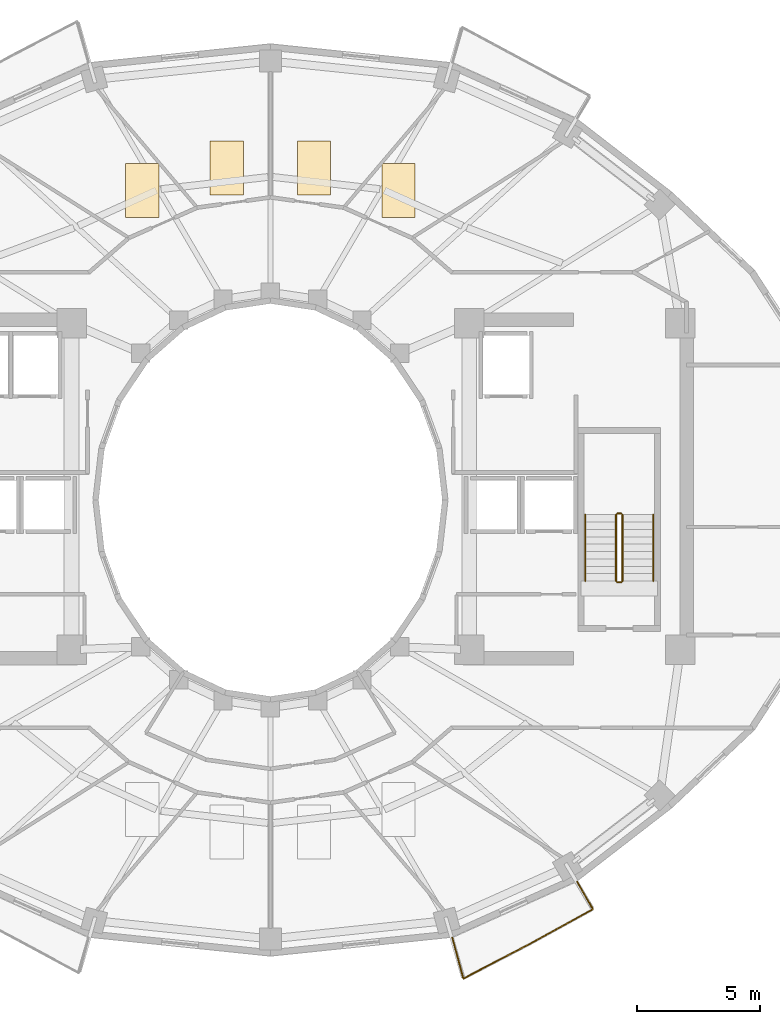
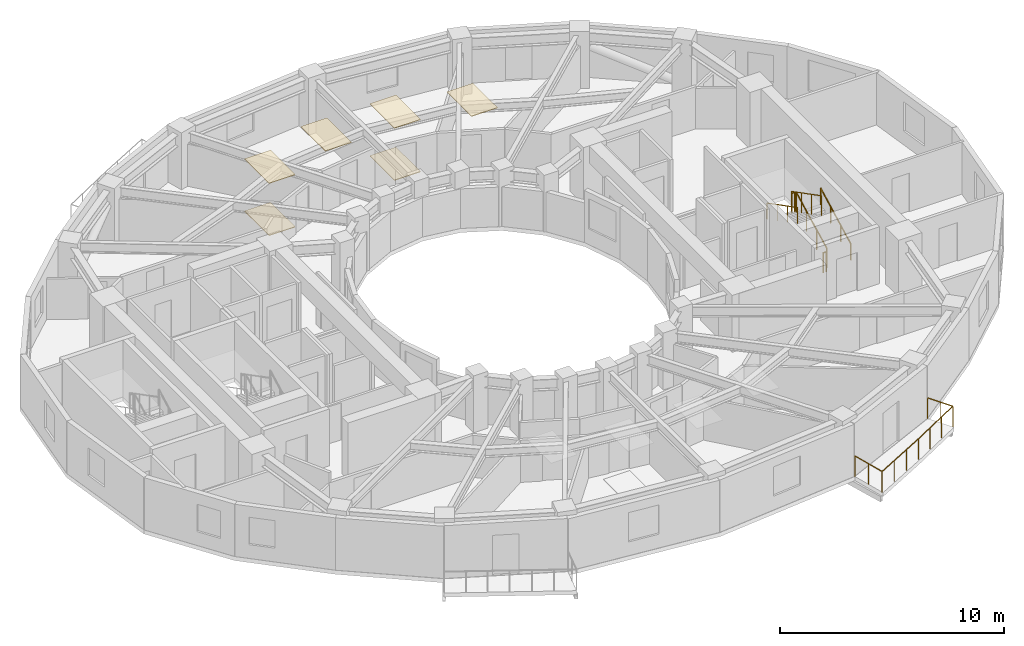
# One storey, part 9 of 10: 7 railings, 6 coverings.
"""IFC4 building model written with IfcOpenShell, lengths in metres."""

from ifc_helpers import new_model, si_unit, direction, frame, origin, origin_2d, place, context, subcontext, project, spatial, polyline, circle, outline, extrude, material, layer, layer_set, type_object, element, save


model = new_model("IFC4")

# Units and contexts
model_context = context("Model", 3, precision=1e-05, world=origin(), true_north=direction((0.0, 1.0)))
body_context = subcontext(model_context, "Body", "Model", "MODEL_VIEW")
ifc_project = project(units=[si_unit("LENGTHUNIT", "METRE"), si_unit("AREAUNIT", "SQUARE_METRE"), si_unit("VOLUMEUNIT", "CUBIC_METRE"), si_unit("PLANEANGLEUNIT", "RADIAN"), si_unit("MASSUNIT", "GRAM", prefix="KILO")], contexts=[model_context])

# Site, building, storey
site_placement = place(None, origin())
site = spatial("IfcSite", under=ifc_project, at=site_placement, CompositionType="ELEMENT")
building_placement = place(site_placement, origin())
building = spatial("IfcBuilding", under=site, at=building_placement, Name="Solvane Sanctuary Tower", CompositionType="ELEMENT")
storey_placement = place(building_placement, frame((0.0, 0.0, 183.89990234375)))
storey = spatial("IfcBuildingStorey", under=building, at=storey_placement, Name="L56", CompositionType="ELEMENT", Elevation=183.89990234375)

# Coverings
ifc_material_1 = material(Name="Acoustic Gypsum Partition Board")
ifc_layer_1 = layer(ifc_material_1, 0.02490234375, Name="Acoustic Gypsum Partition Board")
ifc_layer_set_1 = layer_set([ifc_layer_1], Name="Acoustic Gypsum Partition Board")
covering_type_1 = type_object("IfcCoveringType", Name="Covering CLG-ACOUST", PredefinedType="CEILING", material=ifc_layer_set_1)
covering_1_placement = place(storey_placement, frame((0.0, 0.0, 2.85009765625)))
element("IfcCovering", 1, at=covering_1_placement, inside=storey, type_object=covering_type_1, Name="L56 Unit Acoustic Ceiling Panel 1", PredefinedType="CEILING", context=body_context, shape_type="SweptSolid", body=[
    extrude(outline(polyline([(36.549072265625, 34.510986328125), (37.89892578125, 34.510986328125), (37.89892578125, 36.7109375), (36.549072265625, 36.7109375), (36.549072265625, 34.510986328125)])), origin(), (0.0, 0.0, 1.0), 0.030029296875),
])
covering_2_placement = place(storey_placement, frame((0.0, 0.0, 2.85009765625)))
element("IfcCovering", 2, at=covering_2_placement, inside=storey, type_object=covering_type_1, Name="L56 Unit Acoustic Ceiling Panel 2", PredefinedType="CEILING", context=body_context, shape_type="SweptSolid", body=[
    extrude(outline(polyline([(33.10693359375, 35.43310546875), (34.45703125, 35.43310546875), (34.45703125, 37.633056640625), (33.10693359375, 37.633056640625), (33.10693359375, 35.43310546875)])), origin(), (0.0, 0.0, 1.0), 0.030029296875),
])
covering_3_placement = place(storey_placement, frame((0.0, 0.0, 2.85009765625)))
element("IfcCovering", 3, at=covering_3_placement, inside=storey, type_object=covering_type_1, Name="L56 Unit Acoustic Ceiling Panel 3", PredefinedType="CEILING", context=body_context, shape_type="SweptSolid", body=[
    extrude(outline(polyline([(29.54296875, 35.43310546875), (30.89306640625, 35.43310546875), (30.89306640625, 37.633056640625), (29.54296875, 37.633056640625), (29.54296875, 35.43310546875)])), origin(), (0.0, 0.0, 1.0), 0.030029296875),
])
covering_4_placement = place(storey_placement, frame((0.0, 0.0, 2.85009765625)))
element("IfcCovering", 4, at=covering_4_placement, inside=storey, type_object=covering_type_1, Name="L56 Unit Acoustic Ceiling Panel 4", PredefinedType="CEILING", context=body_context, shape_type="SweptSolid", body=[
    extrude(outline(polyline([(26.10107421875, 34.510986328125), (27.450927734375, 34.510986328125), (27.450927734375, 36.7109375), (26.10107421875, 36.7109375), (26.10107421875, 34.510986328125)])), origin(), (0.0, 0.0, 1.0), 0.030029296875),
])
ifc_material_2 = material(Name="Ceramic Tile Finish")
ifc_layer_2 = layer(ifc_material_2, 0.030029296875, Name="Ceramic Tile Finish")
ifc_layer_set_2 = layer_set([ifc_layer_2], Name="Ceramic Tile Finish")
covering_type_2 = type_object("IfcCoveringType", Name="Covering FLR-TERRAZZO", PredefinedType="FLOORING", material=ifc_layer_set_2)
covering_5_placement = place(storey_placement, origin())
element("IfcCovering", 5, at=covering_5_placement, inside=storey, type_object=covering_type_2, Name="L56 Unit Terrazzo Inlay 2", PredefinedType="FLOORING", context=body_context, shape_type="SweptSolid", body=[
    extrude(outline(polyline([(33.10693359375, 35.43310546875), (34.45703125, 35.43310546875), (34.45703125, 37.633056640625), (33.10693359375, 37.633056640625), (33.10693359375, 35.43310546875)])), origin(), (0.0, 0.0, 1.0), 0.03515625),
])
covering_6_placement = place(storey_placement, origin())
element("IfcCovering", 6, at=covering_6_placement, inside=storey, type_object=covering_type_2, Name="L56 Unit Terrazzo Inlay 4", PredefinedType="FLOORING", context=body_context, shape_type="SweptSolid", body=[
    extrude(outline(polyline([(26.10107421875, 34.510986328125), (27.450927734375, 34.510986328125), (27.450927734375, 36.7109375), (26.10107421875, 36.7109375), (26.10107421875, 34.510986328125)])), origin(), (0.0, 0.0, 1.0), 0.03515625),
])

# Railings
ifc_material_3 = material(Name="Architectural Stainless Steel 316", Category="steel")
railing_type_1 = type_object("IfcRailingType", Name="Railing GR-BALC-1150", PredefinedType="BALUSTRADE", material=ifc_material_3)
railing_1_placement = place(storey_placement, frame((39.410400390625, 5.17041015625, 0.0)))
element("IfcRailing", 7, at=railing_1_placement, inside=storey, type_object=railing_type_1, Name="L56 Wave Balcony Balustrade S2", PredefinedType="BALUSTRADE", context=body_context, shape_type="SweptSolid", body=[
    extrude(circle(Radius=0.02392578125, at=origin_2d()), frame((0.0, 0.0, 1.1259765625), z_axis=(0.258790337249, -0.965933518078, 0.0), x_axis=(0.965933518078, 0.258790337249, 0.0)), (0.0, 0.0, 1.0), 1.724609375),
    extrude(circle(Radius=0.02392578125, at=origin_2d()), frame((0.4462890625, -1.665771484375, 1.1259765625), z_axis=(0.886932025781, 0.461899969306, 0.0), x_axis=(-0.461899969306, 0.886932025781, 0.0)), (0.0, 0.0, 1.0), 3.01953125),
    extrude(circle(Radius=0.02392578125, at=origin_2d()), frame((3.12451171875, -0.27099609375, 1.1259765625), z_axis=(0.876127387244, 0.482079662837, 0.0), x_axis=(-0.482079662837, 0.876127387244, 0.0)), (0.0, 0.0, 1.0), 2.97021484375),
    extrude(circle(Radius=0.02392578125, at=origin_2d()), frame((5.726806640625, 1.160888671875, 1.1259765625), z_axis=(-0.49996696679, 0.866044474677, 0.0), x_axis=(-0.866044474677, -0.49996696679, 0.0)), (0.0, 0.0, 1.0), 1.29638671875),
    extrude(circle(Radius=0.02099609375, at=origin_2d()), origin(), (0.0, 0.0, 1.0), 1.101806640625),
    extrude(circle(Radius=0.02099609375, at=origin_2d()), frame((0.22314453125, -0.8330078125, 0.0)), (0.0, 0.0, 1.0), 1.101806640625),
    extrude(circle(Radius=0.02099609375, at=origin_2d()), frame((0.4462890625, -1.665771484375, 0.0)), (0.0, 0.0, 1.0), 1.101806640625),
    extrude(circle(Radius=0.02099609375, at=origin_2d()), frame((1.339111328125, -1.200927734375, 0.0)), (0.0, 0.0, 1.0), 1.101806640625),
    extrude(circle(Radius=0.02099609375, at=origin_2d()), frame((2.231689453125, -0.73583984375, 0.0)), (0.0, 0.0, 1.0), 1.101806640625),
    extrude(circle(Radius=0.02099609375, at=origin_2d()), frame((3.12451171875, -0.27099609375, 0.0)), (0.0, 0.0, 1.0), 1.101806640625),
    extrude(circle(Radius=0.02099609375, at=origin_2d()), frame((3.991943359375, 0.206298828125, 0.0)), (0.0, 0.0, 1.0), 1.101806640625),
    extrude(circle(Radius=0.02099609375, at=origin_2d()), frame((4.859375, 0.68359375, 0.0)), (0.0, 0.0, 1.0), 1.101806640625),
    extrude(circle(Radius=0.02099609375, at=origin_2d()), frame((5.726806640625, 1.160888671875, 0.0)), (0.0, 0.0, 1.0), 1.101806640625),
    extrude(circle(Radius=0.02099609375, at=origin_2d()), frame((5.40283203125, 1.72216796875, 0.0)), (0.0, 0.0, 1.0), 1.101806640625),
    extrude(circle(Radius=0.02099609375, at=origin_2d()), frame((5.07861328125, 2.28369140625, 0.0)), (0.0, 0.0, 1.0), 1.101806640625),
])
railing_2_placement = place(storey_placement, frame((46.340087890625, 19.699951171875, 0.155029296875)))
element("IfcRailing", 8, at=railing_2_placement, inside=storey, type_object=railing_type_1, Name="L56 ST-2 stair guard 1", PredefinedType="BALUSTRADE", context=body_context, shape_type="SweptSolid", body=[
    extrude(circle(Radius=0.02392578125, at=origin_2d()), frame((0.0, 0.0, 1.076171875), z_axis=(0.0, 0.888419900624, 0.459031676658), x_axis=(-1.0, 0.0, 0.0)), (0.0, 0.0, 1.0), 3.0390625),
    extrude(circle(Radius=0.02099609375, at=origin_2d()), origin(), (0.0, 0.0, 1.0), 1.052001953125),
    extrude(circle(Radius=0.02099609375, at=origin_2d()), frame((0.0, 0.89990234375, 0.465087890625)), (0.0, 0.0, 1.0), 1.052001953125),
    extrude(circle(Radius=0.02099609375, at=origin_2d()), frame((0.0, 1.800048828125, 0.929931640625)), (0.0, 0.0, 1.0), 1.052001953125),
    extrude(circle(Radius=0.02099609375, at=origin_2d()), frame((0.0, 2.699951171875, 1.39501953125)), (0.0, 0.0, 1.0), 1.052001953125),
])
railing_3_placement = place(storey_placement, frame((46.2900390625, 22.449951171875, 1.550048828125)))
element("IfcRailing", 9, at=railing_3_placement, inside=storey, type_object=railing_type_1, Name="L56 ST-2 stair guard 2", PredefinedType="BALUSTRADE", context=body_context, shape_type="SweptSolid", body=[
    extrude(circle(Radius=0.02392578125, at=origin_2d()), frame((0.0, 0.0, 1.076171875), z_axis=(-1.0, 0.0, 0.0), x_axis=(0.0, -1.0, 0.0)), (0.0, 0.0, 1.0), 0.16015625),
    extrude(circle(Radius=0.02099609375, at=origin_2d()), origin(), (0.0, 0.0, 1.0), 1.052001953125),
    extrude(circle(Radius=0.02099609375, at=origin_2d()), frame((-0.16015625, 0.0, 0.0)), (0.0, 0.0, 1.0), 1.052001953125),
])
railing_4_placement = place(storey_placement, frame((46.080078125, 22.39990234375, 1.705078125)))
element("IfcRailing", 10, at=railing_4_placement, inside=storey, type_object=railing_type_1, Name="L56 ST-2 stair guard 3", PredefinedType="BALUSTRADE", context=body_context, shape_type="SweptSolid", body=[
    extrude(circle(Radius=0.02392578125, at=origin_2d()), frame((0.0, 0.0, 1.076171875), z_axis=(0.0, -0.888419900624, 0.459031676658), x_axis=(1.0, 0.0, 0.0)), (0.0, 0.0, 1.0), 3.0390625),
    extrude(circle(Radius=0.02099609375, at=origin_2d()), origin(), (0.0, 0.0, 1.0), 1.052001953125),
    extrude(circle(Radius=0.02099609375, at=origin_2d()), frame((0.0, -0.89990234375, 0.465087890625)), (0.0, 0.0, 1.0), 1.052001953125),
    extrude(circle(Radius=0.02099609375, at=origin_2d()), frame((0.0, -1.800048828125, 0.929931640625)), (0.0, 0.0, 1.0), 1.052001953125),
    extrude(circle(Radius=0.02099609375, at=origin_2d()), frame((0.0, -2.699951171875, 1.39501953125)), (0.0, 0.0, 1.0), 1.052001953125),
])
railing_5_placement = place(storey_placement, frame((46.2900390625, 19.64990234375, 0.0)))
element("IfcRailing", 11, at=railing_5_placement, inside=storey, type_object=railing_type_1, Name="L56 ST-2 stair guard 4", PredefinedType="BALUSTRADE", context=body_context, shape_type="SweptSolid", body=[
    extrude(circle(Radius=0.02392578125, at=origin_2d()), frame((0.0, 0.0, 1.076171875), z_axis=(-1.0, 0.0, 0.0), x_axis=(0.0, -1.0, 0.0)), (0.0, 0.0, 1.0), 0.16015625),
    extrude(circle(Radius=0.02099609375, at=origin_2d()), origin(), (0.0, 0.0, 1.0), 1.052001953125),
    extrude(circle(Radius=0.02099609375, at=origin_2d()), frame((-0.16015625, 0.0, 0.0)), (0.0, 0.0, 1.0), 1.052001953125),
])
railing_type_2 = type_object("IfcRailingType", Name="Railing HR-STAIR-920", PredefinedType="HANDRAIL", material=ifc_material_3)
railing_6_placement = place(storey_placement, frame((47.590087890625, 19.699951171875, 0.155029296875)))
element("IfcRailing", 12, at=railing_6_placement, inside=storey, type_object=railing_type_2, Name="L56 ST-2 stair handrail 1", PredefinedType="HANDRAIL", context=body_context, shape_type="SweptSolid", body=[
    extrude(circle(Radius=0.02392578125, at=origin_2d()), frame((0.0, 0.0, 0.8759765625), z_axis=(0.0, 0.888419900624, 0.459031676658), x_axis=(-1.0, 0.0, 0.0)), (0.0, 0.0, 1.0), 3.0390625),
    extrude(circle(Radius=0.02099609375, at=origin_2d()), origin(), (0.0, 0.0, 1.0), 0.851806640625),
    extrude(circle(Radius=0.02099609375, at=origin_2d()), frame((0.0, 0.89990234375, 0.465087890625)), (0.0, 0.0, 1.0), 0.851806640625),
    extrude(circle(Radius=0.02099609375, at=origin_2d()), frame((0.0, 1.800048828125, 0.929931640625)), (0.0, 0.0, 1.0), 0.851806640625),
    extrude(circle(Radius=0.02099609375, at=origin_2d()), frame((0.0, 2.699951171875, 1.39501953125)), (0.0, 0.0, 1.0), 0.851806640625),
])
railing_7_placement = place(storey_placement, frame((44.830078125, 22.39990234375, 1.705078125)))
element("IfcRailing", 13, at=railing_7_placement, inside=storey, type_object=railing_type_2, Name="L56 ST-2 stair handrail 2", PredefinedType="HANDRAIL", context=body_context, shape_type="SweptSolid", body=[
    extrude(circle(Radius=0.02392578125, at=origin_2d()), frame((0.0, 0.0, 0.8759765625), z_axis=(0.0, -0.888419900624, 0.459031676658), x_axis=(1.0, 0.0, 0.0)), (0.0, 0.0, 1.0), 3.0390625),
    extrude(circle(Radius=0.02099609375, at=origin_2d()), origin(), (0.0, 0.0, 1.0), 0.851806640625),
    extrude(circle(Radius=0.02099609375, at=origin_2d()), frame((0.0, -0.89990234375, 0.465087890625)), (0.0, 0.0, 1.0), 0.851806640625),
    extrude(circle(Radius=0.02099609375, at=origin_2d()), frame((0.0, -1.800048828125, 0.929931640625)), (0.0, 0.0, 1.0), 0.851806640625),
    extrude(circle(Radius=0.02099609375, at=origin_2d()), frame((0.0, -2.699951171875, 1.39501953125)), (0.0, 0.0, 1.0), 0.851806640625),
])

save(model, "model.ifc")
